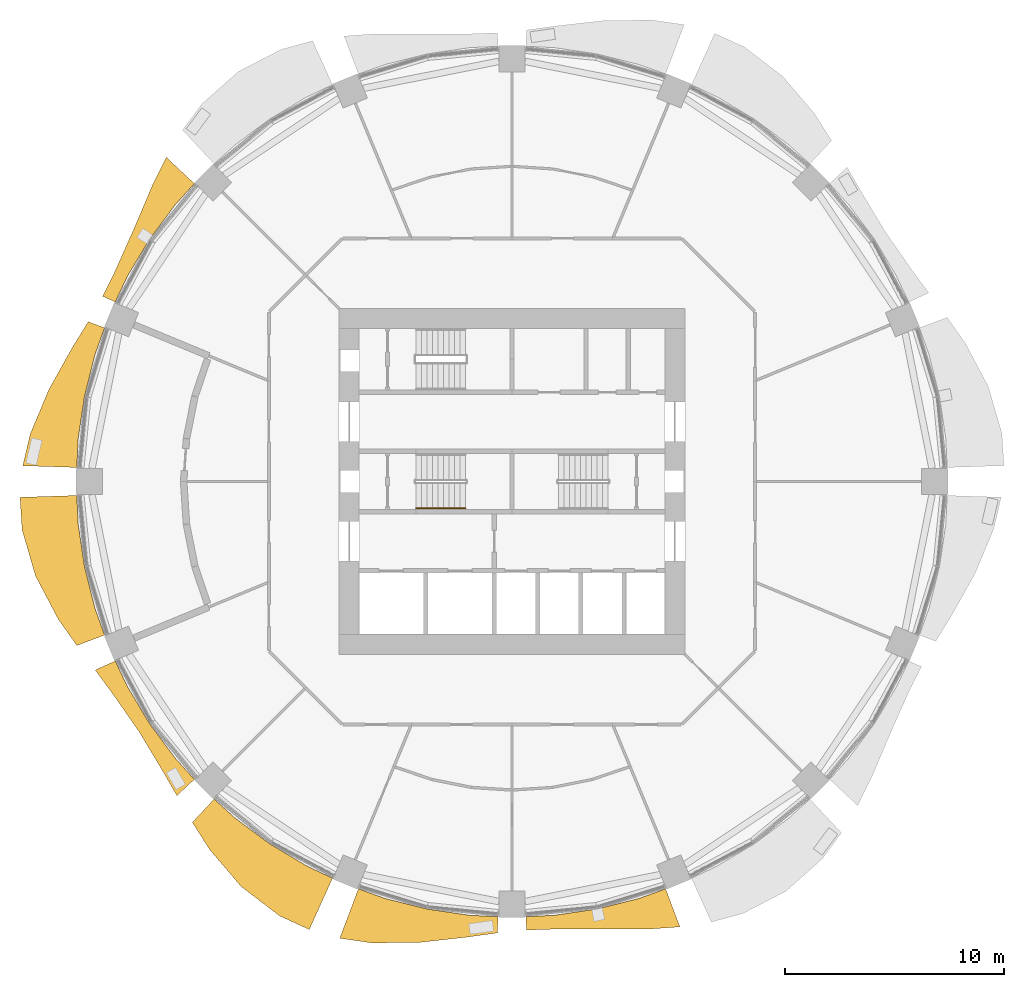
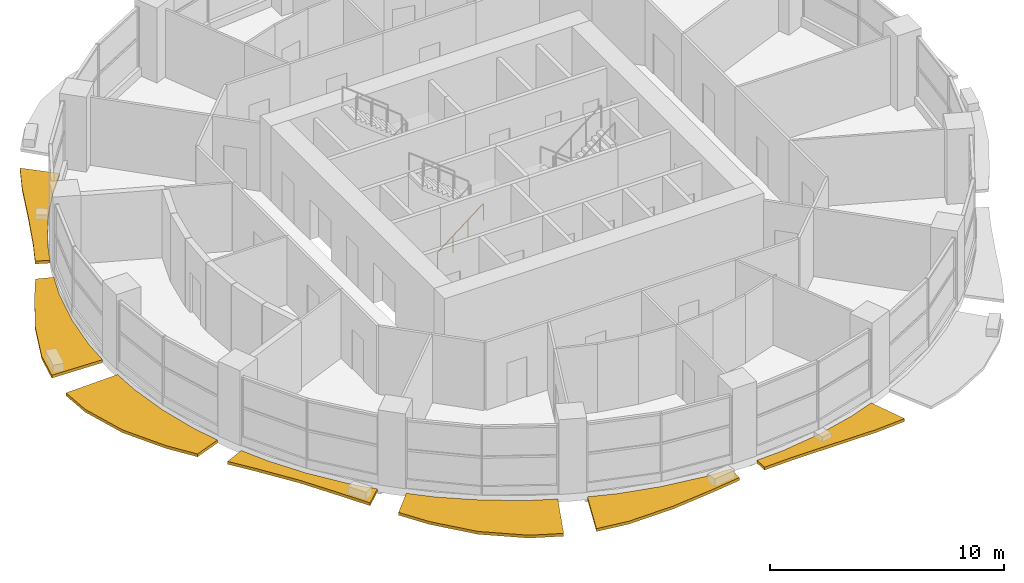
# One storey, part 12 of 15: 7 shading devices, 1 railing.
"""IFC4 building model written with IfcOpenShell, lengths in metres."""

from ifc_helpers import new_model, si_unit, direction, frame, origin, origin_2d, place, context, subcontext, project, spatial, polyline, circle, outline, extrude, material, type_object, element, save


model = new_model("IFC4")

# Units and contexts
model_context = context("Model", 3, precision=1e-05, world=origin(), true_north=direction((0.0, 1.0)))
body_context = subcontext(model_context, "Body", "Model", "MODEL_VIEW")
ifc_project = project(units=[si_unit("LENGTHUNIT", "METRE"), si_unit("AREAUNIT", "SQUARE_METRE"), si_unit("VOLUMEUNIT", "CUBIC_METRE"), si_unit("PLANEANGLEUNIT", "RADIAN"), si_unit("MASSUNIT", "GRAM", prefix="KILO")], contexts=[model_context])

# Site, building, storey
site_placement = place(None, origin())
site = spatial("IfcSite", under=ifc_project, at=site_placement, CompositionType="ELEMENT")
building_placement = place(site_placement, origin())
building = spatial("IfcBuilding", under=site, at=building_placement, Name="Polderwave Tower", CompositionType="ELEMENT")
storey_placement = place(building_placement, frame((0.0, 0.0, 18.5)))
storey = spatial("IfcBuildingStorey", under=building, at=storey_placement, Name="L04", CompositionType="ELEMENT", Elevation=18.5)

# Railing
ifc_material_1 = material(Name="Stainless steel", Category="steel")
railing_type = type_object("IfcRailingType", Name="Stair handrail 900", PredefinedType="HANDRAIL", material=ifc_material_1)
railing_placement = place(storey_placement, frame((-4.3740234375, -1.22509765625, 0.195068359375)))
element("IfcRailing", 1, at=railing_placement, inside=storey, type_object=railing_type, Name="L04 ST-A stair handrail 1", PredefinedType="HANDRAIL", context=body_context, shape_type="SweptSolid", body=[
    extrude(circle(Radius=0.02392578125, at=origin_2d()), frame((0.0, 0.0, 0.8759765625), z_axis=(0.788522222115, 0.0, 0.615006264384), x_axis=(0.0, 1.0, 0.0)), (0.0, 0.0, 1.0), 2.853515625),
    extrude(circle(Radius=0.02099609375, at=origin_2d()), origin(), (0.0, 0.0, 1.0), 0.851806640625),
    extrude(circle(Radius=0.02099609375, at=origin_2d()), frame((0.75, 0.0, 0.5849609375)), (0.0, 0.0, 1.0), 0.851806640625),
    extrude(circle(Radius=0.02099609375, at=origin_2d()), frame((1.5, 0.0, 1.169921875)), (0.0, 0.0, 1.0), 0.851806640625),
    extrude(circle(Radius=0.02099609375, at=origin_2d()), frame((2.25, 0.0, 1.7548828125)), (0.0, 0.0, 1.0), 0.851806640625),
])

# Shading devices
ifc_material_2 = material(Name="Terracotta", Category="masonry")
shading_device_type = type_object("IfcShadingDeviceType", Name="Terracotta sunshade band", PredefinedType="USERDEFINED", material=ifc_material_2)
shading_device_1_placement = place(storey_placement, frame((0.0, 0.0, -0.39990234375)))
element("IfcShadingDevice", 2, at=shading_device_1_placement, inside=storey, type_object=shading_device_type, Name="Sunshade band L04 7", ObjectType="SUNSHADE", PredefinedType="USERDEFINED", context=body_context, shape_type="SweptSolid", body=[
    extrude(outline(polyline([(-14.4716796875, 13.5703125), (-15.35205078125, 12.59912109375), (-16.512939453125, 11.03369140625), (-17.514892578125, 9.36181640625), (-18.0751953125, 8.177001953125), (-18.650634765625, 8.4375), (-18.05322265625, 9.649658203125), (-17.2255859375, 11.510009765625), (-16.39892578125, 13.458251953125), (-15.74658203125, 14.765380859375), (-14.4716796875, 13.5703125)])), origin(), (0.0, 0.0, 1.0), 0.14990234375),
])
shading_device_2_placement = place(storey_placement, frame((0.0, 0.0, -0.39990234375)))
element("IfcShadingDevice", 3, at=shading_device_2_placement, inside=storey, type_object=shading_device_type, Name="Sunshade band L04 8", ObjectType="SUNSHADE", PredefinedType="USERDEFINED", context=body_context, shape_type="SweptSolid", body=[
    extrude(outline(polyline([(-18.563232421875, 6.9990234375), (-19.0048828125, 5.76513671875), (-19.478515625, 3.87451171875), (-19.764404296875, 1.946533203125), (-19.82861328125, 0.6376953125), (-22.288330078125, 0.716796875), (-21.95166015625, 2.162109375), (-21.098388671875, 4.19677734375), (-20.046142578125, 6.0810546875), (-19.308349609375, 7.280029296875), (-18.563232421875, 6.9990234375)])), origin(), (0.0, 0.0, 1.0), 0.14990234375),
])
shading_device_3_placement = place(storey_placement, frame((0.0, 0.0, -0.39990234375)))
element("IfcShadingDevice", 4, at=shading_device_3_placement, inside=storey, type_object=shading_device_type, Name="Sunshade band L04 9", ObjectType="SUNSHADE", PredefinedType="USERDEFINED", context=body_context, shape_type="SweptSolid", body=[
    extrude(outline(polyline([(-19.82861328125, -0.6376953125), (-19.764404296875, -1.946533203125), (-19.478515625, -3.87451171875), (-19.0048828125, -5.76513671875), (-18.563232421875, -6.9990234375), (-19.827392578125, -7.4755859375), (-20.673828125, -6.271240234375), (-21.704345703125, -4.3173828125), (-22.3212890625, -2.198486328125), (-22.41650390625, -0.720703125), (-19.82861328125, -0.6376953125)])), origin(), (0.0, 0.0, 1.0), 0.14990234375),
])
shading_device_4_placement = place(storey_placement, frame((0.0, 0.0, -0.39990234375)))
element("IfcShadingDevice", 5, at=shading_device_4_placement, inside=storey, type_object=shading_device_type, Name="Sunshade band L04 10", ObjectType="SUNSHADE", PredefinedType="USERDEFINED", context=body_context, shape_type="SweptSolid", body=[
    extrude(outline(polyline([(-18.0751953125, -8.177001953125), (-17.514892578125, -9.36181640625), (-16.512939453125, -11.03369140625), (-15.35205078125, -12.59912109375), (-14.4716796875, -13.5703125), (-15.267822265625, -14.316650390625), (-15.96923828125, -13.105712890625), (-17.012939453125, -11.36767578125), (-18.168212890625, -9.711181640625), (-18.990966796875, -8.59130859375), (-18.0751953125, -8.177001953125)])), origin(), (0.0, 0.0, 1.0), 0.14990234375),
])
shading_device_5_placement = place(storey_placement, frame((0.0, 0.0, -0.39990234375)))
element("IfcShadingDevice", 6, at=shading_device_5_placement, inside=storey, type_object=shading_device_type, Name="Sunshade band L04 11", ObjectType="SUNSHADE", PredefinedType="USERDEFINED", context=body_context, shape_type="SweptSolid", body=[
    extrude(outline(polyline([(-13.5703125, -14.4716796875), (-12.59912109375, -15.35205078125), (-11.03369140625, -16.512939453125), (-9.36181640625, -17.514892578125), (-8.177001953125, -18.0751953125), (-9.23583984375, -20.41552734375), (-10.582763671875, -19.798828125), (-12.335205078125, -18.4609375), (-13.77001953125, -16.77880859375), (-14.563720703125, -15.531494140625), (-13.5703125, -14.4716796875)])), origin(), (0.0, 0.0, 1.0), 0.14990234375),
])
shading_device_6_placement = place(storey_placement, frame((0.0, 0.0, -0.39990234375)))
element("IfcShadingDevice", 7, at=shading_device_6_placement, inside=storey, type_object=shading_device_type, Name="Sunshade band L04 12", ObjectType="SUNSHADE", PredefinedType="USERDEFINED", context=body_context, shape_type="SweptSolid", body=[
    extrude(outline(polyline([(-6.9990234375, -18.563232421875), (-5.76513671875, -19.0048828125), (-3.87451171875, -19.478515625), (-1.946533203125, -19.764404296875), (-0.6376953125, -19.82861328125), (-0.661376953125, -20.5673828125), (-2.044921875, -20.76171875), (-4.176513671875, -20.996826171875), (-6.378173828125, -21.025634765625), (-7.84716796875, -20.8125), (-6.9990234375, -18.563232421875)])), origin(), (0.0, 0.0, 1.0), 0.14990234375),
])
shading_device_7_placement = place(storey_placement, frame((0.0, 0.0, -0.39990234375)))
element("IfcShadingDevice", 8, at=shading_device_7_placement, inside=storey, type_object=shading_device_type, Name="Sunshade band L04 13", ObjectType="SUNSHADE", PredefinedType="USERDEFINED", context=body_context, shape_type="SweptSolid", body=[
    extrude(outline(polyline([(0.6376953125, -19.82861328125), (1.946533203125, -19.764404296875), (3.87451171875, -19.478515625), (5.76513671875, -19.0048828125), (6.9990234375, -18.563232421875), (7.6513671875, -20.29345703125), (6.187744140625, -20.398193359375), (4.055908203125, -20.39111328125), (2.00830078125, -20.39208984375), (0.6572265625, -20.439208984375), (0.6376953125, -19.82861328125)])), origin(), (0.0, 0.0, 1.0), 0.14990234375),
])

save(model, "model.ifc")
